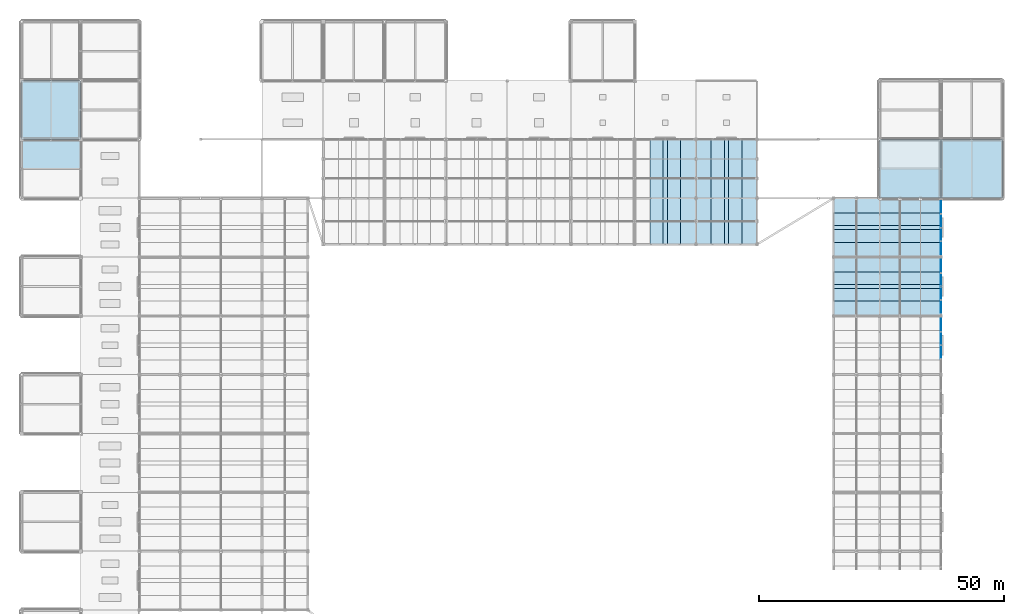
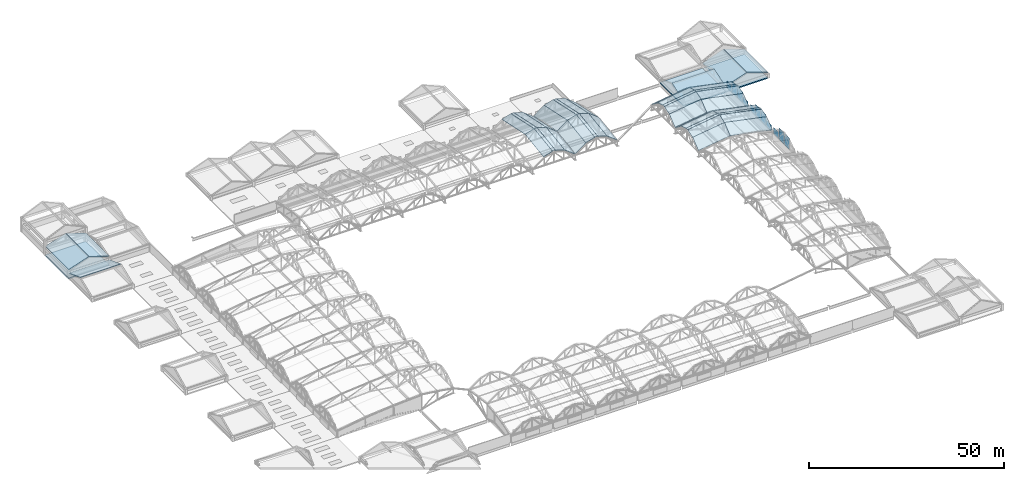
# One storey, part 95 of 117: 39 slabs, 19 plates.
"""IFC4 building model written with IfcOpenShell, lengths in metres."""

from ifc_helpers import new_model, si_unit, direction, frame, origin, origin_2d, place, context, subcontext, project, spatial, polyline, rectangle, outline, extrude, material, layer, layer_set, type_object, element, save


model = new_model("IFC4")

# Units and contexts
model_context = context("Model", 3, precision=1e-05, world=origin(), true_north=direction((0.0, 1.0)))
body_context = subcontext(model_context, "Body", "Model", "MODEL_VIEW")
ifc_project = project(units=[si_unit("LENGTHUNIT", "METRE"), si_unit("AREAUNIT", "SQUARE_METRE"), si_unit("VOLUMEUNIT", "CUBIC_METRE"), si_unit("PLANEANGLEUNIT", "RADIAN"), si_unit("MASSUNIT", "GRAM", prefix="KILO")], contexts=[model_context])

# Site, building, storey
site_placement = place(None, origin())
site = spatial("IfcSite", under=ifc_project, at=site_placement, CompositionType="ELEMENT")
building_placement = place(site_placement, origin())
building = spatial("IfcBuilding", under=site, at=building_placement, Name="Kazenohara Klinker Stadium", CompositionType="ELEMENT")
storey_placement = place(building_placement, frame((0.0, 0.0, 31.199951171875)))
storey = spatial("IfcBuildingStorey", under=building, at=storey_placement, Name="RF", CompositionType="ELEMENT", Elevation=31.199951171875)

# Plates
ifc_material_1 = material(Name="Low-e laminated triple glazing", Category="glass")
ifc_layer_1 = layer(ifc_material_1, 0.0439453125)
ifc_layer_set_1 = layer_set([ifc_layer_1], Name="Low-e laminated triple glazing")
plate_type_1 = type_object("IfcPlateType", Name="PLT-GLZ-CLER", PredefinedType="USERDEFINED", material=ifc_layer_set_1)
for number, where, z_axis, x_axis, name in (
    (1, (187.5, 100.6201171875, 1.650146484375), (0.0, 0.0, 1.0), (1.0, 0.0, 0.0), "Arched barrel clerestory glazing panel CP02 E-05-Q2"),
    (2, (187.5, 103.3798828125, 1.650146484375), (0.0, 0.0, 1.0), (1.0, 0.0, 0.0), "Arched barrel clerestory glazing panel CP02 E-05-Q3"),
):
    element("IfcPlate", number, at=place(storey_placement, frame(where, z_axis=z_axis, x_axis=x_axis)), inside=storey, type_object=plate_type_1, Name=name, ObjectType="CLERESTORY GLAZING", PredefinedType="USERDEFINED", context=body_context, shape_type="SweptSolid", body=[
        extrude(rectangle(XDim=0.0439453125, YDim=2.639892578125, at=origin_2d()), origin(), (0.0, 0.0, 1.0), 3.5),
    ])
for number, where, z_axis, x_axis, name in (
    (3, (187.5, 106.110107421875, 1.650146484375), (0.0, 0.0, 1.0), (1.0, 0.0, 0.0), "Arched barrel clerestory glazing panel CP02 E-05-Q4"),
    (4, (187.5, 109.889892578125, 1.650146484375), (0.0, 0.0, 1.0), (1.0, 0.0, 0.0), "Arched barrel clerestory glazing panel CP02 E-06-Q1"),
):
    element("IfcPlate", number, at=place(storey_placement, frame(where, z_axis=z_axis, x_axis=x_axis)), inside=storey, type_object=plate_type_1, Name=name, ObjectType="CLERESTORY GLAZING", PredefinedType="USERDEFINED", context=body_context, shape_type="SweptSolid", body=[
        extrude(rectangle(XDim=0.0439453125, YDim=2.580078125, at=origin_2d()), origin(), (0.0, 0.0, 1.0), 2.0),
    ])
for number, where, z_axis, x_axis, name in (
    (5, (187.5, 112.6201171875, 1.650146484375), (0.0, 0.0, 1.0), (1.0, 0.0, 0.0), "Arched barrel clerestory glazing panel CP02 E-06-Q2"),
    (6, (187.5, 115.3798828125, 1.650146484375), (0.0, 0.0, 1.0), (1.0, 0.0, 0.0), "Arched barrel clerestory glazing panel CP02 E-06-Q3"),
):
    element("IfcPlate", number, at=place(storey_placement, frame(where, z_axis=z_axis, x_axis=x_axis)), inside=storey, type_object=plate_type_1, Name=name, ObjectType="CLERESTORY GLAZING", PredefinedType="USERDEFINED", context=body_context, shape_type="SweptSolid", body=[
        extrude(rectangle(XDim=0.0439453125, YDim=2.639892578125, at=origin_2d()), origin(), (0.0, 0.0, 1.0), 3.5),
    ])
for number, where, z_axis, x_axis, name in (
    (7, (187.5, 118.110107421875, 1.650146484375), (0.0, 0.0, 1.0), (1.0, 0.0, 0.0), "Arched barrel clerestory glazing panel CP02 E-06-Q4"),
    (8, (187.5, 121.889892578125, 1.650146484375), (0.0, 0.0, 1.0), (1.0, 0.0, 0.0), "Arched barrel clerestory glazing panel CP02 E-07-Q1"),
):
    element("IfcPlate", number, at=place(storey_placement, frame(where, z_axis=z_axis, x_axis=x_axis)), inside=storey, type_object=plate_type_1, Name=name, ObjectType="CLERESTORY GLAZING", PredefinedType="USERDEFINED", context=body_context, shape_type="SweptSolid", body=[
        extrude(rectangle(XDim=0.0439453125, YDim=2.580078125, at=origin_2d()), origin(), (0.0, 0.0, 1.0), 2.0),
    ])
for number, where, z_axis, x_axis, name in (
    (9, (187.5, 124.6201171875, 1.650146484375), (0.0, 0.0, 1.0), (1.0, 0.0, 0.0), "Arched barrel clerestory glazing panel CP02 E-07-Q2"),
    (10, (187.5, 127.3798828125, 1.650146484375), (0.0, 0.0, 1.0), (1.0, 0.0, 0.0), "Arched barrel clerestory glazing panel CP02 E-07-Q3"),
):
    element("IfcPlate", number, at=place(storey_placement, frame(where, z_axis=z_axis, x_axis=x_axis)), inside=storey, type_object=plate_type_1, Name=name, ObjectType="CLERESTORY GLAZING", PredefinedType="USERDEFINED", context=body_context, shape_type="SweptSolid", body=[
        extrude(rectangle(XDim=0.0439453125, YDim=2.639892578125, at=origin_2d()), origin(), (0.0, 0.0, 1.0), 3.5),
    ])
plate_1_placement = place(storey_placement, frame((187.5, 130.110107421875, 1.650146484375), z_axis=(0.0, 0.0, 1.0), x_axis=(1.0, 0.0, 0.0)))
element("IfcPlate", 11, at=plate_1_placement, inside=storey, type_object=plate_type_1, Name="Arched barrel clerestory glazing panel CP02 E-07-Q4", ObjectType="CLERESTORY GLAZING", PredefinedType="USERDEFINED", context=body_context, shape_type="SweptSolid", body=[
    extrude(rectangle(XDim=0.0439453125, YDim=2.580078125, at=origin_2d()), origin(), (0.0, 0.0, 1.0), 2.0),
])
ifc_material_2 = material(Name="Low-e laminated skylight triple glazing", Category="glass")
ifc_layer_2 = layer(ifc_material_2, 0.048095703125)
ifc_layer_set_2 = layer_set([ifc_layer_2], Name="Low-e laminated skylight triple glazing")
plate_type_2 = type_object("IfcPlateType", Name="PLT-GLZ-VALLEY", PredefinedType="USERDEFINED", material=ifc_layer_set_2)
plate_2_placement = place(storey_placement, frame((187.5, 113.580078125, 5.670166015625), z_axis=(0.199868526152, 0.0, 0.979822724912), x_axis=(-0.979822724912, 0.0, 0.199868526152)))
element("IfcPlate", 12, at=plate_2_placement, inside=storey, type_object=plate_type_2, Name="Barrel-shell valley skylight glazing joint SKG1 E-06-OUT", ObjectType="SKYLIGHT GLAZING", PredefinedType="USERDEFINED", context=body_context, shape_type="SweptSolid", body=[
    extrude(outline(polyline([(0.0, 0.0), (12.757409766265132, 0.0), (12.757409766265132, -0.8398437500000002), (0.0, -0.8398437500000002), (0.0, 0.0)])), origin(), (0.0, 0.0, -1.0), 0.048095703125),
])
plate_3_placement = place(storey_placement, frame((175.0, 113.580078125, 8.219970703125), z_axis=(-0.142144768244, 0.0, 0.989845879347), x_axis=(-0.989845879347, 0.0, -0.142144768244)))
element("IfcPlate", 13, at=plate_3_placement, inside=storey, type_object=plate_type_2, Name="Barrel-shell valley skylight glazing joint SKG1 E-06-IN", ObjectType="SKYLIGHT GLAZING", PredefinedType="USERDEFINED", context=body_context, shape_type="SweptSolid", body=[
    extrude(outline(polyline([(0.0, 0.0), (9.496329216369972, 0.0), (9.496329216369972, -0.83984375), (0.0, -0.83984375), (0.0, 0.0)])), origin(), (0.0, 0.0, -1.0), 0.048095703125),
])
plate_4_placement = place(storey_placement, frame((187.5, 125.580078125, 5.670166015625), z_axis=(0.199868526152, 0.0, 0.979822724912), x_axis=(-0.979822724912, 0.0, 0.199868526152)))
element("IfcPlate", 14, at=plate_4_placement, inside=storey, type_object=plate_type_2, Name="Barrel-shell valley skylight glazing joint SKG1 E-07-OUT", ObjectType="SKYLIGHT GLAZING", PredefinedType="USERDEFINED", context=body_context, shape_type="SweptSolid", body=[
    extrude(outline(polyline([(0.0, 0.0), (12.757409766265132, 0.0), (12.757409766265132, -0.8398437500000002), (0.0, -0.8398437500000002), (0.0, 0.0)])), origin(), (0.0, 0.0, -1.0), 0.048095703125),
])
plate_5_placement = place(storey_placement, frame((175.0, 125.580078125, 8.219970703125), z_axis=(-0.142144768244, 0.0, 0.989845879347), x_axis=(-0.989845879347, 0.0, -0.142144768244)))
element("IfcPlate", 15, at=plate_5_placement, inside=storey, type_object=plate_type_2, Name="Barrel-shell valley skylight glazing joint SKG1 E-07-IN", ObjectType="SKYLIGHT GLAZING", PredefinedType="USERDEFINED", context=body_context, shape_type="SweptSolid", body=[
    extrude(outline(polyline([(0.0, 0.0), (9.496329216369972, 0.0), (9.496329216369972, -0.83984375), (0.0, -0.83984375), (0.0, 0.0)])), origin(), (0.0, 0.0, -1.0), 0.048095703125),
])
plate_6_placement = place(storey_placement, frame((130.8125, 144.0, 5.670166015625), z_axis=(0.0, 0.207843523042, 0.978162087759), x_axis=(0.0, -0.978162087759, 0.207843523042)))
element("IfcPlate", 16, at=plate_6_placement, inside=storey, type_object=plate_type_2, Name="Barrel-shell valley skylight glazing joint SKG1 N-06-OUT", ObjectType="SKYLIGHT GLAZING", PredefinedType="USERDEFINED", context=body_context, shape_type="SweptSolid", body=[
    extrude(outline(polyline([(0.0, 0.0), (12.26790544242973, 0.0), (12.26790544242973, 0.875), (0.0, 0.875), (0.0, 0.0)])), origin(), (0.0, 0.0, -1.0), 0.048095703125),
])
plate_7_placement = place(storey_placement, frame((130.8125, 132.0, 8.219970703125), z_axis=(0.0, -0.142144768244, 0.989845879347), x_axis=(0.0, -0.989845879347, -0.142144768244)))
element("IfcPlate", 17, at=plate_7_placement, inside=storey, type_object=plate_type_2, Name="Barrel-shell valley skylight glazing joint SKG1 N-06-IN", ObjectType="SKYLIGHT GLAZING", PredefinedType="USERDEFINED", context=body_context, shape_type="SweptSolid", body=[
    extrude(outline(polyline([(0.0, 0.0), (9.496329216369972, 0.0), (9.496329216369972, 0.875), (0.0, 0.875), (0.0, 0.0)])), origin(), (0.0, 0.0, -1.0), 0.048095703125),
])
plate_8_placement = place(storey_placement, frame((143.3125, 144.0, 5.670166015625), z_axis=(0.0, 0.207843523042, 0.978162087759), x_axis=(0.0, -0.978162087759, 0.207843523042)))
element("IfcPlate", 18, at=plate_8_placement, inside=storey, type_object=plate_type_2, Name="Barrel-shell valley skylight glazing joint SKG1 N-07-OUT", ObjectType="SKYLIGHT GLAZING", PredefinedType="USERDEFINED", context=body_context, shape_type="SweptSolid", body=[
    extrude(outline(polyline([(0.0, 0.0), (12.26790544242973, 0.0), (12.26790544242973, 0.875), (0.0, 0.875), (0.0, 0.0)])), origin(), (0.0, 0.0, -1.0), 0.048095703125),
])
plate_9_placement = place(storey_placement, frame((143.3125, 132.0, 8.219970703125), z_axis=(0.0, -0.142144768244, 0.989845879347), x_axis=(0.0, -0.989845879347, -0.142144768244)))
element("IfcPlate", 19, at=plate_9_placement, inside=storey, type_object=plate_type_2, Name="Barrel-shell valley skylight glazing joint SKG1 N-07-IN", ObjectType="SKYLIGHT GLAZING", PredefinedType="USERDEFINED", context=body_context, shape_type="SweptSolid", body=[
    extrude(outline(polyline([(0.0, 0.0), (9.496329216369972, 0.0), (9.496329216369972, 0.875), (0.0, 0.875), (0.0, 0.0)])), origin(), (0.0, 0.0, -1.0), 0.048095703125),
])

# Slabs
ifc_material_3 = material(Name="Steel S355", Category="steel")
ifc_layer_3 = layer(ifc_material_3, 0.18994140625)
ifc_layer_set_3 = layer_set([ifc_layer_3], Name="Steel S355")
slab_type_1 = type_object("IfcSlabType", Name="SLB-ROOF-190", PredefinedType="ROOF", material=ifc_layer_set_3)
for number, where, z_axis, x_axis, name in (
    (20, (0.0, 144.0, 2.670166015625), (-0.31885382794, 0.0, 0.947803901874), (0.947803901874, 0.0, 0.31885382794), "Pitched turret crown roof slab RS03 GT1-SW-A"),
    (21, (6.054931640625, 144.0, 4.670166015625), (0.31885382794, 0.0, 0.947803901874), (0.947803901874, 0.0, -0.31885382794), "Pitched turret crown roof slab RS03 GT1-SW-B"),
):
    element("IfcSlab", number, at=place(storey_placement, frame(where, z_axis=z_axis, x_axis=x_axis)), inside=storey, type_object=slab_type_1, Name=name, PredefinedType="ROOF", context=body_context, shape_type="SweptSolid", body=[
        extrude(outline(polyline([(0.0, 0.0), (6.272466643804632, 0.0), (6.272466643804632, 12.0), (0.0, 12.0), (0.0, 0.0)])), origin(), (0.0, 0.0, -1.0), 0.18994140625),
    ])
for number, where, z_axis, x_axis, name in (
    (22, (187.5, 132.0, 1.670166015625), (-0.327853404288, 0.0, 0.944728609335), (0.944728609335, 0.0, 0.327853404288), "Pitched turret crown roof slab RS03 GT3-SE-A"),
    (23, (193.804931640625, 132.0, 3.820068359375), (0.327853404288, 0.0, 0.944728609335), (0.944728609335, 0.0, -0.327853404288), "Pitched turret crown roof slab RS03 GT3-SE-B"),
):
    element("IfcSlab", number, at=place(storey_placement, frame(where, z_axis=z_axis, x_axis=x_axis)), inside=storey, type_object=slab_type_1, Name=name, PredefinedType="ROOF", context=body_context, shape_type="SweptSolid", body=[
        extrude(outline(polyline([(0.0, 0.0), (6.557511118175173, 0.0), (6.557511118175173, 12.0), (0.0, 12.0), (0.0, 0.0)])), origin(), (0.0, 0.0, -1.0), 0.18994140625),
    ])
slab_1_placement = place(storey_placement, frame((175.0, 132.0, 1.469970703125), z_axis=(0.0, -0.31885382794, 0.947803901874), x_axis=(1.0, 0.0, 0.0)))
element("IfcSlab", 24, at=slab_1_placement, inside=storey, type_object=slab_type_1, Name="Pitched turret crown roof slab RS03 GT3-SW-A", PredefinedType="ROOF", context=body_context, shape_type="SweptSolid", body=[
    extrude(outline(polyline([(0.0, 0.0), (12.5, 0.0), (12.5, 6.272466643804632), (0.0, 6.272466643804632), (0.0, 0.0)])), origin(), (0.0, 0.0, -1.0), 0.18994140625),
])
slab_2_placement = place(storey_placement, frame((0.0, 138.054931640625, 3.8701171875), z_axis=(0.0, 0.360821106656, 0.932635045981), x_axis=(1.0, 0.0, 0.0)))
element("IfcSlab", 25, at=slab_2_placement, inside=storey, type_object=slab_type_1, Name="Pitched turret crown roof slab RS03 WBST-11-B", PredefinedType="ROOF", context=body_context, shape_type="SweptSolid", body=[
    extrude(outline(polyline([(0.0, 0.0), (12.0, 0.0), (12.0, 6.37448526623138), (0.0, 6.37448526623138), (0.0, 0.0)])), origin(), (0.0, 0.0, -1.0), 0.18994140625),
])
slab_3_placement = place(storey_placement, frame((187.5, 108.06005859375, 2.51806640625), z_axis=(0.157314226472, -0.616932337274, 0.771133403099), x_axis=(-0.979818977014, 0.0, 0.199886898729)))
element("IfcSlab", 26, at=slab_3_placement, inside=storey, type_object=slab_type_1, Name="Scalloped barrel-arch canopy slab E-06 outer strip 1", PredefinedType="ROOF", context=body_context, shape_type="SweptSolid", body=[
    extrude(outline(polyline([(0.0, 0.0), (12.757458564534776, 0.0), (13.227602700851302, -3.7355538867548352), (0.47014413631652474, -3.7355538867548352), (0.0, 0.0)])), origin(), (0.0, 0.0, -1.0), 0.18994140625),
])
slab_4_placement = place(storey_placement, frame((175.0, 108.06005859375, 5.068115234375), z_axis=(-0.111454741468, -0.620818608848, 0.775991040871), x_axis=(-0.989842261755, 0.0, -0.1421699576)))
element("IfcSlab", 27, at=slab_4_placement, inside=storey, type_object=slab_type_1, Name="Scalloped barrel-arch canopy slab E-06 inner strip 1", PredefinedType="ROOF", context=body_context, shape_type="SweptSolid", body=[
    extrude(outline(polyline([(0.0, 0.0), (9.496363922757409, 0.0), (9.16197296291469, -3.750144135328325), (-0.33439095984271777, -3.750144135328325), (0.0, 0.0)])), origin(), (0.0, 0.0, -1.0), 0.18994140625),
])
slab_5_placement = place(storey_placement, frame((187.5, 111.0, 4.8701171875), z_axis=(0.191468362766, -0.28701019737, 0.93859736451), x_axis=(-0.979820696633, 2.577642e-06, 0.199878469184)))
element("IfcSlab", 28, at=slab_5_placement, inside=storey, type_object=slab_type_1, Name="Scalloped barrel-arch canopy slab E-06 outer strip 2", PredefinedType="ROOF", context=body_context, shape_type="SweptSolid", body=[
    extrude(outline(polyline([(0.0, 0.0), (12.757458564020277, 0.0), (12.91732904362879, -2.730826108913155), (0.15991927806290396, -2.7308947656607114), (0.0, 0.0)])), origin(), (0.0, 0.0, -1.0), 0.18994140625),
])
slab_6_placement = place(storey_placement, frame((175.0, 111.0, 7.420166015625), z_axis=(-0.136061259308, -0.289700944037, 0.947396800047), x_axis=(-0.989843918815, -3.528048e-06, -0.142158419982)))
element("IfcSlab", 29, at=slab_6_placement, inside=storey, type_object=slab_type_1, Name="Scalloped barrel-arch canopy slab E-06 inner strip 2", PredefinedType="ROOF", context=body_context, shape_type="SweptSolid", body=[
    extrude(outline(polyline([(0.0, 0.0), (9.49636392205321, 0.0), (9.382621015480932, -2.733207446859171), (-0.11370819992677195, -2.733137437523795), (0.0, 0.0)])), origin(), (0.0, 0.0, -1.0), 0.18994140625),
])
slab_7_placement = place(storey_placement, frame((187.5, 114.384033203125, 5.670166015625), z_axis=(0.191468362766, 0.28701019737, 0.93859736451), x_axis=(-0.979821005365, 2.577652e-06, 0.199876955745)))
element("IfcSlab", 30, at=slab_7_placement, inside=storey, type_object=slab_type_1, Name="Scalloped barrel-arch canopy slab E-06 outer strip 3", PredefinedType="ROOF", context=body_context, shape_type="SweptSolid", body=[
    extrude(outline(polyline([(0.0, 0.0), (12.757409765750632, 1.1102230246251565e-16), (12.597553982673135, -2.7308269692510176), (-0.1599045811623955, -2.7308956262611925), (0.0, 0.0)])), origin(), (0.0, 0.0, -1.0), 0.18994140625),
])
slab_8_placement = place(storey_placement, frame((175.0, 114.384033203125, 8.219970703125), z_axis=(-0.136061259308, 0.289700944037, 0.947396800047), x_axis=(-0.989844222428, -3.528061e-06, -0.142156305924)))
element("IfcSlab", 31, at=slab_8_placement, inside=storey, type_object=slab_type_1, Name="Scalloped barrel-arch canopy slab E-06 inner strip 3", PredefinedType="ROOF", context=body_context, shape_type="SweptSolid", body=[
    extrude(outline(polyline([(0.0, 0.0), (9.496329215665769, -1.1102230246251565e-16), (9.61005197233993, -2.7332082853263064), (0.11368805054478547, -2.7331382757350666), (0.0, 0.0)])), origin(), (0.0, 0.0, -1.0), 0.18994140625),
])
slab_9_placement = place(storey_placement, frame((187.5, 117.0, 4.8701171875), z_axis=(0.157314226472, 0.616932337274, 0.771133403099), x_axis=(-0.979818977014, 0.0, 0.199886898729)))
element("IfcSlab", 32, at=slab_9_placement, inside=storey, type_object=slab_type_1, Name="Scalloped barrel-arch canopy slab E-06 outer strip 4", PredefinedType="ROOF", context=body_context, shape_type="SweptSolid", body=[
    extrude(outline(polyline([(0.0, 0.0), (12.757458564534776, 0.0), (12.287314428218252, -3.7355538867548352), (-0.47014413631652474, -3.7355538867548352), (0.0, 0.0)])), origin(), (0.0, 0.0, -1.0), 0.18994140625),
])
slab_10_placement = place(storey_placement, frame((175.0, 117.0, 7.420166015625), z_axis=(-0.111454741468, 0.620818608848, 0.775991040871), x_axis=(-0.989842261755, 0.0, -0.1421699576)))
element("IfcSlab", 33, at=slab_10_placement, inside=storey, type_object=slab_type_1, Name="Scalloped barrel-arch canopy slab E-06 inner strip 4", PredefinedType="ROOF", context=body_context, shape_type="SweptSolid", body=[
    extrude(outline(polyline([(0.0, 0.0), (9.496363922757409, 0.0), (9.830754882600127, -3.750144135328325), (0.33439095984271777, -3.750144135328325), (0.0, 0.0)])), origin(), (0.0, 0.0, -1.0), 0.18994140625),
])
slab_11_placement = place(storey_placement, frame((187.5, 120.06005859375, 2.51806640625), z_axis=(0.157314226472, -0.616932337274, 0.771133403099), x_axis=(-0.979818977014, 0.0, 0.199886898729)))
element("IfcSlab", 34, at=slab_11_placement, inside=storey, type_object=slab_type_1, Name="Scalloped barrel-arch canopy slab E-07 outer strip 1", PredefinedType="ROOF", context=body_context, shape_type="SweptSolid", body=[
    extrude(outline(polyline([(0.0, 0.0), (12.757458564534776, 0.0), (13.227602700851302, -3.7355538867548352), (0.47014413631652474, -3.7355538867548352), (0.0, 0.0)])), origin(), (0.0, 0.0, -1.0), 0.18994140625),
])
slab_12_placement = place(storey_placement, frame((175.0, 120.06005859375, 5.068115234375), z_axis=(-0.111454741468, -0.620818608848, 0.775991040871), x_axis=(-0.989842261755, 0.0, -0.1421699576)))
element("IfcSlab", 35, at=slab_12_placement, inside=storey, type_object=slab_type_1, Name="Scalloped barrel-arch canopy slab E-07 inner strip 1", PredefinedType="ROOF", context=body_context, shape_type="SweptSolid", body=[
    extrude(outline(polyline([(0.0, 0.0), (9.496363922757409, 0.0), (9.16197296291469, -3.750144135328325), (-0.33439095984271777, -3.750144135328325), (0.0, 0.0)])), origin(), (0.0, 0.0, -1.0), 0.18994140625),
])
slab_13_placement = place(storey_placement, frame((187.5, 123.0, 4.8701171875), z_axis=(0.191468362766, -0.28701019737, 0.93859736451), x_axis=(-0.979820696633, 2.577642e-06, 0.199878469184)))
element("IfcSlab", 36, at=slab_13_placement, inside=storey, type_object=slab_type_1, Name="Scalloped barrel-arch canopy slab E-07 outer strip 2", PredefinedType="ROOF", context=body_context, shape_type="SweptSolid", body=[
    extrude(outline(polyline([(0.0, 0.0), (12.757458564020277, 0.0), (12.91732904362879, -2.730826108913155), (0.15991927806290396, -2.7308947656607114), (0.0, 0.0)])), origin(), (0.0, 0.0, -1.0), 0.18994140625),
])
slab_14_placement = place(storey_placement, frame((175.0, 123.0, 7.420166015625), z_axis=(-0.136061259308, -0.289700944037, 0.947396800047), x_axis=(-0.989843918815, -3.528048e-06, -0.142158419982)))
element("IfcSlab", 37, at=slab_14_placement, inside=storey, type_object=slab_type_1, Name="Scalloped barrel-arch canopy slab E-07 inner strip 2", PredefinedType="ROOF", context=body_context, shape_type="SweptSolid", body=[
    extrude(outline(polyline([(0.0, 0.0), (9.49636392205321, 0.0), (9.382621015480932, -2.733207446859171), (-0.11370819992677195, -2.733137437523795), (0.0, 0.0)])), origin(), (0.0, 0.0, -1.0), 0.18994140625),
])
slab_15_placement = place(storey_placement, frame((187.5, 126.384033203125, 5.670166015625), z_axis=(0.191468362766, 0.28701019737, 0.93859736451), x_axis=(-0.979821005365, 2.577652e-06, 0.199876955745)))
element("IfcSlab", 38, at=slab_15_placement, inside=storey, type_object=slab_type_1, Name="Scalloped barrel-arch canopy slab E-07 outer strip 3", PredefinedType="ROOF", context=body_context, shape_type="SweptSolid", body=[
    extrude(outline(polyline([(0.0, 0.0), (12.757409765750632, 1.1102230246251565e-16), (12.597553982673135, -2.7308269692510176), (-0.1599045811623955, -2.7308956262611925), (0.0, 0.0)])), origin(), (0.0, 0.0, -1.0), 0.18994140625),
])
slab_16_placement = place(storey_placement, frame((175.0, 126.384033203125, 8.219970703125), z_axis=(-0.136061259308, 0.289700944037, 0.947396800047), x_axis=(-0.989844222428, -3.528061e-06, -0.142156305924)))
element("IfcSlab", 39, at=slab_16_placement, inside=storey, type_object=slab_type_1, Name="Scalloped barrel-arch canopy slab E-07 inner strip 3", PredefinedType="ROOF", context=body_context, shape_type="SweptSolid", body=[
    extrude(outline(polyline([(0.0, 0.0), (9.496329215665769, -1.1102230246251565e-16), (9.61005197233993, -2.7332082853263064), (0.11368805054478547, -2.7331382757350666), (0.0, 0.0)])), origin(), (0.0, 0.0, -1.0), 0.18994140625),
])
slab_17_placement = place(storey_placement, frame((187.5, 129.0, 4.8701171875), z_axis=(0.157314226472, 0.616932337274, 0.771133403099), x_axis=(-0.979818977014, 0.0, 0.199886898729)))
element("IfcSlab", 40, at=slab_17_placement, inside=storey, type_object=slab_type_1, Name="Scalloped barrel-arch canopy slab E-07 outer strip 4", PredefinedType="ROOF", context=body_context, shape_type="SweptSolid", body=[
    extrude(outline(polyline([(0.0, 0.0), (12.757458564534776, 0.0), (12.287314428218252, -3.7355538867548352), (-0.47014413631652474, -3.7355538867548352), (0.0, 0.0)])), origin(), (0.0, 0.0, -1.0), 0.18994140625),
])
slab_18_placement = place(storey_placement, frame((175.0, 129.0, 7.420166015625), z_axis=(-0.111454741468, 0.620818608848, 0.775991040871), x_axis=(-0.989842261755, 0.0, -0.1421699576)))
element("IfcSlab", 41, at=slab_18_placement, inside=storey, type_object=slab_type_1, Name="Scalloped barrel-arch canopy slab E-07 inner strip 4", PredefinedType="ROOF", context=body_context, shape_type="SweptSolid", body=[
    extrude(outline(polyline([(0.0, 0.0), (9.496363922757409, 0.0), (9.830754882600127, -3.750144135328325), (0.33439095984271777, -3.750144135328325), (0.0, 0.0)])), origin(), (0.0, 0.0, -1.0), 0.18994140625),
])
slab_19_placement = place(storey_placement, frame((128.125, 144.0, 4.8701171875), z_axis=(-0.275978642066, 0.199780814547, 0.940172013656), x_axis=(2.581788e-06, -0.978159910672, 0.207853768663)))
element("IfcSlab", 42, at=slab_19_placement, inside=storey, type_object=slab_type_1, Name="Scalloped barrel-arch canopy slab N-06 outer strip 2", PredefinedType="ROOF", context=body_context, shape_type="SweptSolid", body=[
    extrude(outline(polyline([(0.0, 0.0), (12.267956187264863, -1.1102230246251565e-16), (12.43420564138151, 2.835172989445379), (0.16630019966563842, 2.835238895384851), (0.0, 0.0)])), origin(), (0.0, 0.0, -1.0), 0.18994140625),
])
slab_20_placement = place(storey_placement, frame((128.125, 132.0, 7.420166015625), z_axis=(-0.279019930215, -0.136511627499, 0.950532721215), x_axis=(-3.40922e-06, -0.989843929803, -0.142158343476)))
element("IfcSlab", 43, at=slab_20_placement, inside=storey, type_object=slab_type_1, Name="Scalloped barrel-arch canopy slab N-06 inner strip 2", PredefinedType="ROOF", context=body_context, shape_type="SweptSolid", body=[
    extrude(outline(polyline([(0.0, 0.0), (9.496363922048538, -5.551115123125783e-17), (9.382621015485547, 2.837833311036194), (-0.11370819993616703, 2.8377658828821857), (0.0, 0.0)])), origin(), (0.0, 0.0, -1.0), 0.18994140625),
])
slab_21_placement = place(storey_placement, frame((131.64990234375, 144.0, 5.670166015625), z_axis=(0.275978642066, 0.199780814547, 0.940172013656), x_axis=(2.581799e-06, -0.978160218839, 0.207852318424)))
element("IfcSlab", 44, at=slab_21_placement, inside=storey, type_object=slab_type_1, Name="Scalloped barrel-arch canopy slab N-06 outer strip 3", PredefinedType="ROOF", context=body_context, shape_type="SweptSolid", body=[
    extrude(outline(polyline([(0.0, 0.0), (12.267905441892902, 0.0), (12.101671218963823, 2.83517388253382), (-0.16628496812400692, 2.835239788745908), (0.0, 0.0)])), origin(), (0.0, 0.0, -1.0), 0.18994140625),
])
slab_22_placement = place(storey_placement, frame((131.64990234375, 132.0, 8.219970703125), z_axis=(0.279019930215, -0.136511627499, 0.950532721215), x_axis=(-3.409232e-06, -0.989844211441, -0.142156382431)))
element("IfcSlab", 45, at=slab_22_placement, inside=storey, type_object=slab_type_1, Name="Scalloped barrel-arch canopy slab N-06 inner strip 3", PredefinedType="ROOF", context=body_context, shape_type="SweptSolid", body=[
    extrude(outline(polyline([(0.0, 0.0), (9.496329215661099, 1.1102230246251565e-16), (9.610051972344655, 2.837834118589799), (0.11368805053550218, 2.8377666901893592), (0.0, 0.0)])), origin(), (0.0, 0.0, -1.0), 0.18994140625),
])
slab_23_placement = place(storey_placement, frame((134.375, 144.0, 4.8701171875), z_axis=(0.600635128848, 0.166190954627, 0.782060105487), x_axis=(0.0, -0.978158041674, 0.207862563991)))
element("IfcSlab", 46, at=slab_23_placement, inside=storey, type_object=slab_type_1, Name="Scalloped barrel-arch canopy slab N-06 outer strip 4", PredefinedType="ROOF", context=body_context, shape_type="SweptSolid", body=[
    extrude(outline(polyline([(0.0, 0.0), (12.267956187801687, 0.0), (11.779052881774163, 3.8304076395253412), (-0.48890330602752313, 3.8304076395253412), (0.0, 0.0)])), origin(), (0.0, 0.0, -1.0), 0.18994140625),
])
slab_24_placement = place(storey_placement, frame((134.375, 132.0, 7.420166015625), z_axis=(0.605191890352, -0.113178607114, 0.787993260595), x_axis=(0.0, -0.989842261755, -0.1421699576)))
element("IfcSlab", 47, at=slab_24_placement, inside=storey, type_object=slab_type_1, Name="Scalloped barrel-arch canopy slab N-06 inner strip 4", PredefinedType="ROOF", context=body_context, shape_type="SweptSolid", body=[
    extrude(outline(polyline([(0.0, 0.0), (9.496363922757409, -1.1102230246251565e-16), (9.830754882600127, 3.8469769707595334), (0.33439095984271777, 3.846976970759534), (0.0, 0.0)])), origin(), (0.0, 0.0, -1.0), 0.18994140625),
])
slab_25_placement = place(storey_placement, frame((137.5625, 144.0, 2.51806640625), z_axis=(-0.600635128848, 0.166190954627, 0.782060105487), x_axis=(0.0, -0.978158041674, 0.207862563991)))
element("IfcSlab", 48, at=slab_25_placement, inside=storey, type_object=slab_type_1, Name="Scalloped barrel-arch canopy slab N-07 outer strip 1", PredefinedType="ROOF", context=body_context, shape_type="SweptSolid", body=[
    extrude(outline(polyline([(0.0, 0.0), (12.267956187801687, 0.0), (12.75685949382921, 3.8304076395253412), (0.48890330602752313, 3.8304076395253412), (0.0, 0.0)])), origin(), (0.0, 0.0, -1.0), 0.18994140625),
])
slab_26_placement = place(storey_placement, frame((137.5625, 132.0, 5.068115234375), z_axis=(-0.605191890352, -0.113178607114, 0.787993260595), x_axis=(0.0, -0.989842261755, -0.1421699576)))
element("IfcSlab", 49, at=slab_26_placement, inside=storey, type_object=slab_type_1, Name="Scalloped barrel-arch canopy slab N-07 inner strip 1", PredefinedType="ROOF", context=body_context, shape_type="SweptSolid", body=[
    extrude(outline(polyline([(0.0, 0.0), (9.496363922757409, 1.1102230246251565e-16), (9.16197296291469, 3.846976970759534), (-0.33439095984271777, 3.846976970759534), (0.0, 0.0)])), origin(), (0.0, 0.0, -1.0), 0.18994140625),
])
slab_27_placement = place(storey_placement, frame((140.625, 144.0, 4.8701171875), z_axis=(-0.275978642066, 0.199780814547, 0.940172013656), x_axis=(2.581788e-06, -0.978159910672, 0.207853768663)))
element("IfcSlab", 50, at=slab_27_placement, inside=storey, type_object=slab_type_1, Name="Scalloped barrel-arch canopy slab N-07 outer strip 2", PredefinedType="ROOF", context=body_context, shape_type="SweptSolid", body=[
    extrude(outline(polyline([(0.0, 0.0), (12.267956187264863, -1.1102230246251565e-16), (12.43420564138151, 2.835172989445379), (0.16630019966563842, 2.835238895384851), (0.0, 0.0)])), origin(), (0.0, 0.0, -1.0), 0.18994140625),
])
slab_28_placement = place(storey_placement, frame((140.625, 132.0, 7.420166015625), z_axis=(-0.279019930215, -0.136511627499, 0.950532721215), x_axis=(-3.40922e-06, -0.989843929803, -0.142158343476)))
element("IfcSlab", 51, at=slab_28_placement, inside=storey, type_object=slab_type_1, Name="Scalloped barrel-arch canopy slab N-07 inner strip 2", PredefinedType="ROOF", context=body_context, shape_type="SweptSolid", body=[
    extrude(outline(polyline([(0.0, 0.0), (9.496363922048538, -5.551115123125783e-17), (9.382621015485547, 2.837833311036194), (-0.11370819993616703, 2.8377658828821857), (0.0, 0.0)])), origin(), (0.0, 0.0, -1.0), 0.18994140625),
])
slab_29_placement = place(storey_placement, frame((144.14990234375, 144.0, 5.670166015625), z_axis=(0.275978642066, 0.199780814547, 0.940172013656), x_axis=(2.581799e-06, -0.978160218839, 0.207852318424)))
element("IfcSlab", 52, at=slab_29_placement, inside=storey, type_object=slab_type_1, Name="Scalloped barrel-arch canopy slab N-07 outer strip 3", PredefinedType="ROOF", context=body_context, shape_type="SweptSolid", body=[
    extrude(outline(polyline([(0.0, 0.0), (12.267905441892902, 0.0), (12.101671218963823, 2.83517388253382), (-0.16628496812400692, 2.835239788745908), (0.0, 0.0)])), origin(), (0.0, 0.0, -1.0), 0.18994140625),
])
slab_30_placement = place(storey_placement, frame((144.14990234375, 132.0, 8.219970703125), z_axis=(0.279019930215, -0.136511627499, 0.950532721215), x_axis=(-3.409232e-06, -0.989844211441, -0.142156382431)))
element("IfcSlab", 53, at=slab_30_placement, inside=storey, type_object=slab_type_1, Name="Scalloped barrel-arch canopy slab N-07 inner strip 3", PredefinedType="ROOF", context=body_context, shape_type="SweptSolid", body=[
    extrude(outline(polyline([(0.0, 0.0), (9.496329215661099, 1.1102230246251565e-16), (9.610051972344655, 2.837834118589799), (0.11368805053550218, 2.8377666901893592), (0.0, 0.0)])), origin(), (0.0, 0.0, -1.0), 0.18994140625),
])
slab_31_placement = place(storey_placement, frame((146.875, 144.0, 4.8701171875), z_axis=(0.600635128848, 0.166190954627, 0.782060105487), x_axis=(0.0, -0.978158041674, 0.207862563991)))
element("IfcSlab", 54, at=slab_31_placement, inside=storey, type_object=slab_type_1, Name="Scalloped barrel-arch canopy slab N-07 outer strip 4", PredefinedType="ROOF", context=body_context, shape_type="SweptSolid", body=[
    extrude(outline(polyline([(0.0, 0.0), (12.267956187801687, 0.0), (11.779052881774163, 3.8304076395253412), (-0.48890330602752313, 3.8304076395253412), (0.0, 0.0)])), origin(), (0.0, 0.0, -1.0), 0.18994140625),
])
slab_32_placement = place(storey_placement, frame((146.875, 132.0, 7.420166015625), z_axis=(0.605191890352, -0.113178607114, 0.787993260595), x_axis=(0.0, -0.989842261755, -0.1421699576)))
element("IfcSlab", 55, at=slab_32_placement, inside=storey, type_object=slab_type_1, Name="Scalloped barrel-arch canopy slab N-07 inner strip 4", PredefinedType="ROOF", context=body_context, shape_type="SweptSolid", body=[
    extrude(outline(polyline([(0.0, 0.0), (9.496363922757409, -1.1102230246251565e-16), (9.830754882600127, 3.8469769707595334), (0.33439095984271777, 3.846976970759534), (0.0, 0.0)])), origin(), (0.0, 0.0, -1.0), 0.18994140625),
])
ifc_material_4 = material(Name="Concrete C40/50", Category="concrete")
ifc_layer_4 = layer(ifc_material_4, 0.360107421875)
ifc_layer_set_4 = layer_set([ifc_layer_4], Name="Concrete C40/50")
slab_type_2 = type_object("IfcSlabType", Name="SLB-ROOF-360", PredefinedType="ROOF", material=ifc_layer_set_4)
slab_33_placement = place(storey_placement, frame((0.0, 0.0, -0.35986328125)))
element("IfcSlab", 56, at=slab_33_placement, inside=storey, type_object=slab_type_2, Name="Main roof deck slab RS01 RF 1/N", PredefinedType="ROOF", context=body_context, shape_type="SweptSolid", body=[
    extrude(outline(polyline([(0.0, 144.0), (12.0, 144.0), (12.0, 156.0), (0.0, 156.0), (0.0, 144.0)])), origin(), (0.0, 0.0, 1.0), 0.35986328125),
])
slab_34_placement = place(storey_placement, frame((0.0, 0.0, -0.35986328125)))
element("IfcSlab", 57, at=slab_34_placement, inside=storey, type_object=slab_type_2, Name="Main roof deck slab RS01 RF 15/M", PredefinedType="ROOF", context=body_context, shape_type="SweptSolid", body=[
    extrude(outline(polyline([(175.0, 132.0), (187.5, 132.0), (187.5, 144.0), (175.0, 144.0), (175.0, 132.0)])), origin(), (0.0, 0.0, 1.0), 0.35986328125),
])
slab_35_placement = place(storey_placement, frame((0.0, 0.0, -0.35986328125)))
element("IfcSlab", 58, at=slab_35_placement, inside=storey, type_object=slab_type_2, Name="Main roof deck slab RS01 RF 16/M", PredefinedType="ROOF", context=body_context, shape_type="SweptSolid", body=[
    extrude(outline(polyline([(187.5, 132.0), (200.0, 132.0), (200.0, 144.0), (187.5, 144.0), (187.5, 132.0)])), origin(), (0.0, 0.0, 1.0), 0.35986328125),
])

save(model, "model.ifc")
